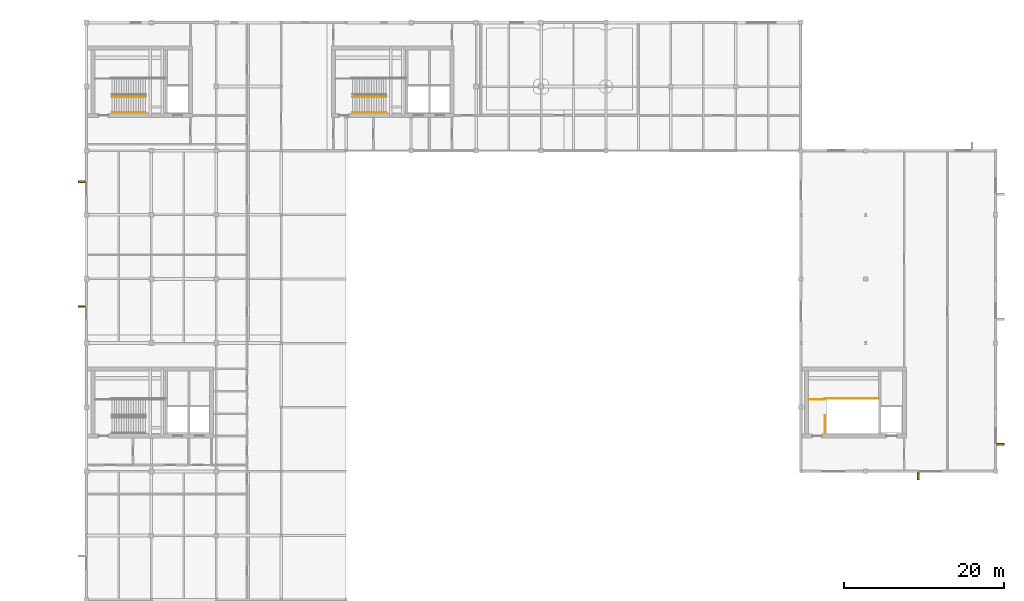
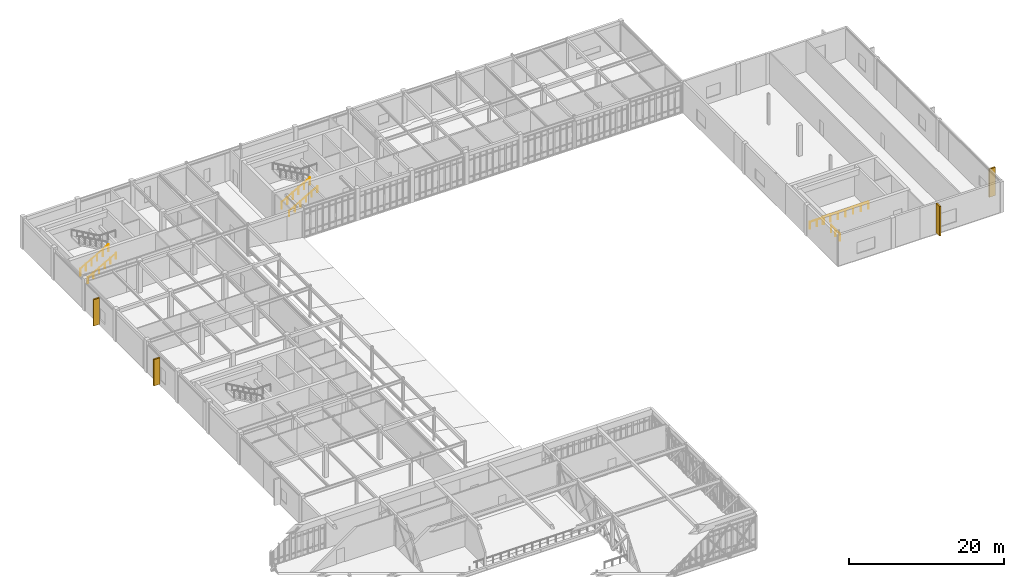
# One storey, part 68 of 70: 7 railings, 4 shading devices.
"""IFC4 building model written with IfcOpenShell, lengths in metres."""

from ifc_helpers import new_model, si_unit, direction, frame, origin, origin_2d, place, context, subcontext, project, spatial, rectangle, circle, extrude, material, material_profile, profile_set, type_object, element, save


model = new_model("IFC4")

# Units and contexts
model_context = context("Model", 3, precision=1e-05, world=origin(), true_north=direction((0.0, 1.0)))
body_context = subcontext(model_context, "Body", "Model", "MODEL_VIEW")
ifc_project = project(units=[si_unit("LENGTHUNIT", "METRE"), si_unit("AREAUNIT", "SQUARE_METRE"), si_unit("VOLUMEUNIT", "CUBIC_METRE"), si_unit("PLANEANGLEUNIT", "RADIAN"), si_unit("MASSUNIT", "GRAM", prefix="KILO")], contexts=[model_context])

# Site, building, storey
site_placement = place(None, origin())
site = spatial("IfcSite", under=ifc_project, at=site_placement, CompositionType="ELEMENT")
building_placement = place(site_placement, origin())
building = spatial("IfcBuilding", under=site, at=building_placement, Name="Tarnveldt Square Police Headquarters", CompositionType="ELEMENT")
storey_placement = place(building_placement, frame((0.0, 0.0, 19.800048828125)))
storey = spatial("IfcBuildingStorey", under=building, at=storey_placement, Name="L04", CompositionType="ELEMENT", Elevation=19.800048828125)

# Railings
ifc_material_1 = material(Name="Steel 350W", Category="steel")
railing_type_1 = type_object("IfcRailingType", Name="RL-GR-1100", PredefinedType="GUARDRAIL", material=ifc_material_1)
for number, where, name in (
    (1, (19.3701171875, 102.719970703125, 0.169921875), "L04 ST2 stair guard 1"),
    (2, (49.3701171875, 102.719970703125, 0.169921875), "L04 ST3 stair guard 1"),
):
    element("IfcRailing", number, at=place(storey_placement, frame(where)), inside=storey, type_object=railing_type_1, Name=name, PredefinedType="GUARDRAIL", context=body_context, shape_type="SweptSolid", body=[
        extrude(circle(Radius=0.02392578125, at=origin_2d()), frame((0.0, 0.0, 1.076171875), z_axis=(0.870008446991, 0.0, 0.493036816236), x_axis=(0.0, 1.0, 0.0)), (0.0, 0.0, 1.0), 4.827392578125),
        extrude(circle(Radius=0.02099609375, at=origin_2d()), origin(), (0.0, 0.0, 1.0), 1.052001953125),
        extrude(circle(Radius=0.02099609375, at=origin_2d()), frame((0.840087890625, 0.0, 0.47607421875)), (0.0, 0.0, 1.0), 1.052001953125),
        extrude(circle(Radius=0.02099609375, at=origin_2d()), frame((1.679931640625, 0.0, 0.9521484375)), (0.0, 0.0, 1.0), 1.052001953125),
        extrude(circle(Radius=0.02099609375, at=origin_2d()), frame((2.52001953125, 0.0, 1.427978515625)), (0.0, 0.0, 1.0), 1.052001953125),
        extrude(circle(Radius=0.02099609375, at=origin_2d()), frame((3.35986328125, 0.0, 1.904052734375)), (0.0, 0.0, 1.0), 1.052001953125),
        extrude(circle(Radius=0.02099609375, at=origin_2d()), frame((4.199951171875, 0.0, 2.380126953125)), (0.0, 0.0, 1.0), 1.052001953125),
    ])
railing_1_placement = place(storey_placement, frame((108.320068359375, 60.719970703125, 0.0)))
element("IfcRailing", 3, at=railing_1_placement, inside=storey, type_object=railing_type_1, Name="L04 ST4 top well guard 1", PredefinedType="GUARDRAIL", context=body_context, shape_type="SweptSolid", body=[
    extrude(circle(Radius=0.02392578125, at=origin_2d()), frame((0.0, 0.0, 1.076171875), z_axis=(0.0, 1.0, 0.0), x_axis=(-1.0, 0.0, 0.0)), (0.0, 0.0, 1.0), 2.25),
    extrude(circle(Radius=0.02099609375, at=origin_2d()), origin(), (0.0, 0.0, 1.0), 1.052001953125),
    extrude(circle(Radius=0.02099609375, at=origin_2d()), frame((0.0, 1.125, 0.0)), (0.0, 0.0, 1.0), 1.052001953125),
    extrude(circle(Radius=0.02099609375, at=origin_2d()), frame((0.0, 2.25, 0.0)), (0.0, 0.0, 1.0), 1.052001953125),
])
railing_2_placement = place(storey_placement, frame((108.27001953125, 65.070068359375, 0.0)))
element("IfcRailing", 4, at=railing_2_placement, inside=storey, type_object=railing_type_1, Name="L04 ST4 top well guard 2", PredefinedType="GUARDRAIL", context=body_context, shape_type="SweptSolid", body=[
    extrude(circle(Radius=0.02392578125, at=origin_2d()), frame((0.0, 0.0, 1.076171875), z_axis=(1.0, 0.0, 0.0), x_axis=(0.0, 1.0, 0.0)), (0.0, 0.0, 1.0), 6.800048828125),
    extrude(circle(Radius=0.02099609375, at=origin_2d()), origin(), (0.0, 0.0, 1.0), 1.052001953125),
    extrude(circle(Radius=0.02099609375, at=origin_2d()), frame((1.13330078125, 0.0, 0.0)), (0.0, 0.0, 1.0), 1.052001953125),
    extrude(circle(Radius=0.02099609375, at=origin_2d()), frame((2.2666015625, 0.0, 0.0)), (0.0, 0.0, 1.0), 1.052001953125),
    extrude(circle(Radius=0.02099609375, at=origin_2d()), frame((3.39990234375, 0.0, 0.0)), (0.0, 0.0, 1.0), 1.052001953125),
    extrude(circle(Radius=0.02099609375, at=origin_2d()), frame((4.533447265625, 0.0, 0.0)), (0.0, 0.0, 1.0), 1.052001953125),
    extrude(circle(Radius=0.02099609375, at=origin_2d()), frame((5.666748046875, 0.0, 0.0)), (0.0, 0.0, 1.0), 1.052001953125),
    extrude(circle(Radius=0.02099609375, at=origin_2d()), frame((6.800048828125, 0.0, 0.0)), (0.0, 0.0, 1.0), 1.052001953125),
])
railing_3_placement = place(storey_placement, frame((106.320068359375, 64.969970703125, 0.0)))
element("IfcRailing", 5, at=railing_3_placement, inside=storey, type_object=railing_type_1, Name="L04 ST4 top well guard 3", PredefinedType="GUARDRAIL", context=body_context, shape_type="SweptSolid", body=[
    extrude(circle(Radius=0.02392578125, at=origin_2d()), frame((0.0, 0.0, 1.076171875), z_axis=(1.0, 0.0, 0.0), x_axis=(0.0, 1.0, 0.0)), (0.0, 0.0, 1.0), 2.050048828125),
    extrude(circle(Radius=0.02099609375, at=origin_2d()), origin(), (0.0, 0.0, 1.0), 1.052001953125),
    extrude(circle(Radius=0.02099609375, at=origin_2d()), frame((1.02490234375, 0.0, 0.0)), (0.0, 0.0, 1.0), 1.052001953125),
    extrude(circle(Radius=0.02099609375, at=origin_2d()), frame((2.050048828125, 0.0, 0.0)), (0.0, 0.0, 1.0), 1.052001953125),
])
railing_type_2 = type_object("IfcRailingType", Name="RL-HR-900", PredefinedType="HANDRAIL", material=ifc_material_1)
for number, where, name in (
    (6, (19.3701171875, 100.77001953125, 0.169921875), "L04 ST2 stair handrail 1"),
    (7, (49.3701171875, 100.77001953125, 0.169921875), "L04 ST3 stair handrail 1"),
):
    element("IfcRailing", number, at=place(storey_placement, frame(where)), inside=storey, type_object=railing_type_2, Name=name, PredefinedType="HANDRAIL", context=body_context, shape_type="SweptSolid", body=[
        extrude(circle(Radius=0.02392578125, at=origin_2d()), frame((0.0, 0.0, 0.8759765625), z_axis=(0.870008446991, 0.0, 0.493036816236), x_axis=(0.0, 1.0, 0.0)), (0.0, 0.0, 1.0), 4.827392578125),
        extrude(circle(Radius=0.02099609375, at=origin_2d()), origin(), (0.0, 0.0, 1.0), 0.851806640625),
        extrude(circle(Radius=0.02099609375, at=origin_2d()), frame((0.840087890625, 0.0, 0.47607421875)), (0.0, 0.0, 1.0), 0.851806640625),
        extrude(circle(Radius=0.02099609375, at=origin_2d()), frame((1.679931640625, 0.0, 0.9521484375)), (0.0, 0.0, 1.0), 0.851806640625),
        extrude(circle(Radius=0.02099609375, at=origin_2d()), frame((2.52001953125, 0.0, 1.427978515625)), (0.0, 0.0, 1.0), 0.851806640625),
        extrude(circle(Radius=0.02099609375, at=origin_2d()), frame((3.35986328125, 0.0, 1.904052734375)), (0.0, 0.0, 1.0), 0.851806640625),
        extrude(circle(Radius=0.02099609375, at=origin_2d()), frame((4.199951171875, 0.0, 2.380126953125)), (0.0, 0.0, 1.0), 0.851806640625),
    ])

# Shading devices
ifc_material_2 = material(Name="Precast concrete 35 MPa", Category="concrete")
ifc_material_profile = material_profile(ifc_material_2, rectangle(XDim=0.219970703125, YDim=0.89990234375, at=origin_2d()), Name="PC-FIN220x900")
ifc_profile_set = profile_set([ifc_material_profile], Name="Precast concrete 35 MPa")
shading_device_type = type_object("IfcShadingDeviceType", Name="SHD-FIN-900", PredefinedType="USERDEFINED", material=ifc_profile_set)
for number, where, z_axis, x_axis, name in (
    (8, (15.6201171875, 92.135986328125, 0.14990234375), (0.0, 0.0, 1.0), (0.0, -1.0, 0.0), "L04 Precast Deep-Reveal Brutalist Fin 046"),
    (9, (15.6201171875, 76.572021484375, 0.14990234375), (0.0, 0.0, 1.0), (0.0, -1.0, 0.0), "L04 Precast Deep-Reveal Brutalist Fin 047"),
):
    element("IfcShadingDevice", number, at=place(storey_placement, frame(where, z_axis=z_axis, x_axis=x_axis)), inside=storey, type_object=shading_device_type, Name=name, ObjectType="SOLAR SHADING FIN", PredefinedType="USERDEFINED", context=body_context, shape_type="SweptSolid", body=[
        extrude(rectangle(XDim=0.219970703125, YDim=0.89990234375, at=origin_2d()), origin(), (0.0, 0.0, 1.0), 4.152099609375),
    ])
shading_device_1_placement = place(storey_placement, frame((130.18994140625, 59.39990234375, 0.14990234375), z_axis=(0.0, 0.0, 1.0), x_axis=(0.0, 1.0, 0.0)))
element("IfcShadingDevice", 10, at=shading_device_1_placement, inside=storey, type_object=shading_device_type, Name="L04 Precast Deep-Reveal Brutalist Fin 049", ObjectType="SOLAR SHADING FIN", PredefinedType="USERDEFINED", context=body_context, shape_type="SweptSolid", body=[
    extrude(rectangle(XDim=0.219970703125, YDim=0.89990234375, at=origin_2d()), origin(), (0.0, 0.0, 1.0), 4.46044921875),
])
shading_device_2_placement = place(storey_placement, frame((119.949951171875, 55.409912109375, 0.14990234375), z_axis=(0.0, 0.0, 1.0), x_axis=(1.0, 0.0, 0.0)))
element("IfcShadingDevice", 11, at=shading_device_2_placement, inside=storey, type_object=shading_device_type, Name="L04 Precast Deep-Reveal Brutalist Fin 053", ObjectType="SOLAR SHADING FIN", PredefinedType="USERDEFINED", context=body_context, shape_type="SweptSolid", body=[
    extrude(rectangle(XDim=0.219970703125, YDim=0.89990234375, at=origin_2d()), origin(), (0.0, 0.0, 1.0), 4.66015625),
])

save(model, "model.ifc")
